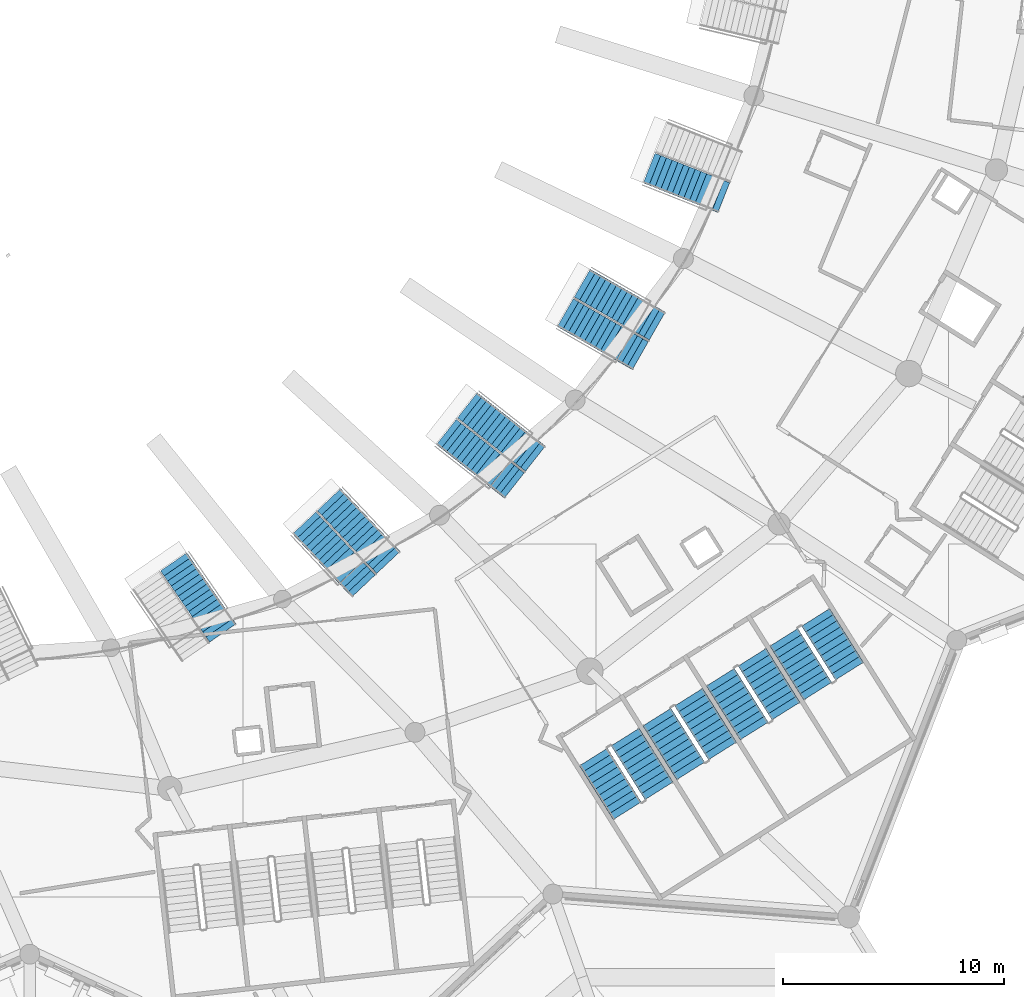
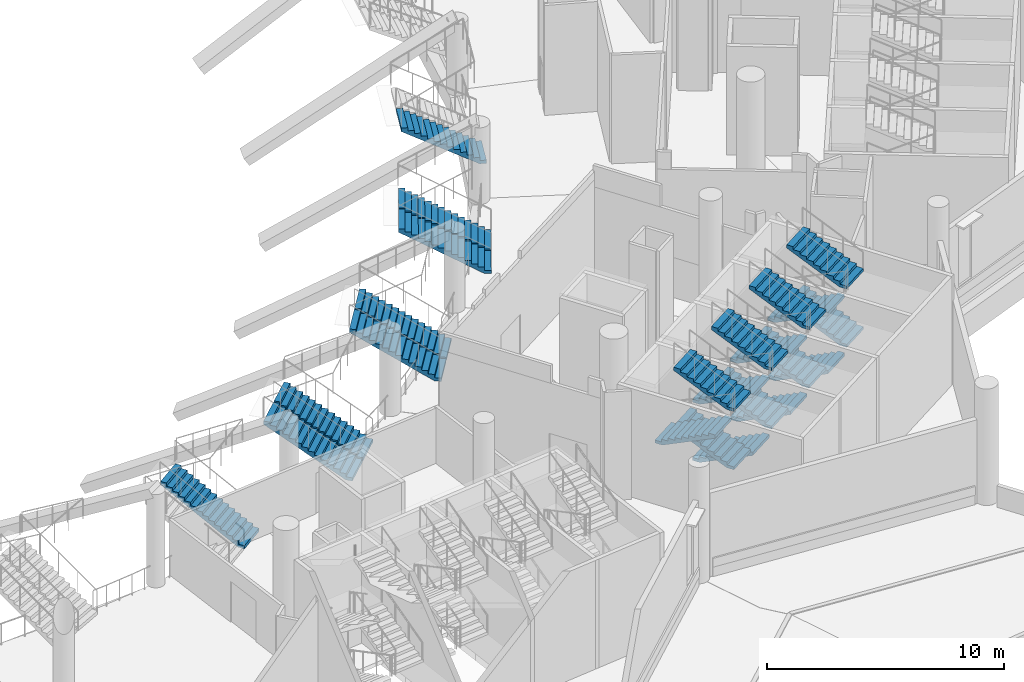
# One storey, part 88 of 173: 23 stair flights, 9 elements without a shape of their own.
"""IFC4 building model written with IfcOpenShell, lengths in metres."""

from ifc_helpers import new_model, si_unit, direction, frame, origin, place, context, subcontext, project, spatial, polyline, outline, extrude, material, type_object, element, aggregate, save


model = new_model("IFC4")

# Units and contexts
model_context = context("Model", 3, precision=1e-05, world=origin(), true_north=direction((0.0, 1.0)))
body_context = subcontext(model_context, "Body", "Model", "MODEL_VIEW")
ifc_project = project(units=[si_unit("LENGTHUNIT", "METRE"), si_unit("AREAUNIT", "SQUARE_METRE"), si_unit("VOLUMEUNIT", "CUBIC_METRE"), si_unit("PLANEANGLEUNIT", "RADIAN"), si_unit("MASSUNIT", "GRAM", prefix="KILO")], contexts=[model_context])

# Site, building, storey
site_placement = place(None, origin())
site = spatial("IfcSite", under=ifc_project, at=site_placement, CompositionType="ELEMENT")
building_placement = place(site_placement, origin())
building = spatial("IfcBuilding", under=site, at=building_placement, Name="Meseta Stadium", CompositionType="ELEMENT")
storey_placement = place(building_placement, frame((0.0, 0.0, 18.0)))
storey = spatial("IfcBuildingStorey", under=building, at=storey_placement, Name="L03", CompositionType="ELEMENT", Elevation=18.0)

# Stair, stair flights
ifc_material_1 = material(Name="Concrete C40/50", Category="concrete")
stair_type_1 = type_object("IfcStairType", Name="Exit stair 4 flights 150 mm risers", PredefinedType="HALF_TURN_STAIR", material=ifc_material_1)
stair_1_placement = place(storey_placement, origin())
stair_1 = element("IfcStair", 1, at=stair_1_placement, inside=storey, type_object=stair_type_1, Name="ST105 L03", PredefinedType="HALF_TURN_STAIR")
ifc_material_2 = material(Name="Concrete C40/50", Category="concrete")
stair_flight_type_1 = type_object("IfcStairFlightType", Name="Exit stair flight 150 mm risers, 4 per storey", PredefinedType="STRAIGHT", material=ifc_material_2)
stair_flight_1_placement = place(storey_placement, frame((66.8642578125, -91.193603515625, 1.5), z_axis=(0.0, 0.0, 1.0), x_axis=(-0.532032074404, 0.846724200555, 0.0)))
stair_flight_1 = element("IfcStairFlight", 2, at=stair_flight_1_placement, type_object=stair_flight_type_1, Name="ST105 L03 flight 2", NumberOfRisers=10, NumberOfTreads=9, PredefinedType="STRAIGHT", RiserHeight=0.15, TreadLength=0.32, context=body_context, shape_type="SweptSolid", body=[
    extrude(outline(polyline([(0.0, 0.0), (0.0, 0.14990234375), (0.320068359375, 0.14990234375), (0.320068359375, 0.300048828125), (0.639892578125, 0.300048828125), (0.639892578125, 0.449951171875), (0.9599609375, 0.449951171875), (0.9599609375, 0.60009765625), (1.280029296875, 0.60009765625), (1.280029296875, 0.75), (1.60009765625, 0.75), (1.60009765625, 0.89990234375), (1.919921875, 0.89990234375), (1.919921875, 1.050048828125), (2.239990234375, 1.050048828125), (2.239990234375, 1.199951171875), (2.56005859375, 1.199951171875), (2.56005859375, 1.35009765625), (2.8798828125, 1.35009765625), (2.8798828125, 1.184326171875), (0.353271484375, 0.0), (0.0, 0.0)])), frame((0.0, 0.75, 0.0), z_axis=(0.0, -1.0, 0.0), x_axis=(1.0, 0.0, 0.0)), (0.0, 0.0, 1.0), 1.5),
])
stair_flight_2_placement = place(storey_placement, frame((63.892578125, -89.659423828125, 3.0), z_axis=(0.0, 0.0, 1.0), x_axis=(0.532032074404, -0.846724200555, 0.0)))
stair_flight_2 = element("IfcStairFlight", 3, at=stair_flight_2_placement, type_object=stair_flight_type_1, Name="ST105 L03 flight 3", NumberOfRisers=10, NumberOfTreads=9, PredefinedType="STRAIGHT", RiserHeight=0.15, TreadLength=0.32, context=body_context, shape_type="SweptSolid", body=[
    extrude(outline(polyline([(0.0, 0.0), (0.0, 0.14990234375), (0.320068359375, 0.14990234375), (0.320068359375, 0.300048828125), (0.639892578125, 0.300048828125), (0.639892578125, 0.449951171875), (0.9599609375, 0.449951171875), (0.9599609375, 0.60009765625), (1.280029296875, 0.60009765625), (1.280029296875, 0.75), (1.60009765625, 0.75), (1.60009765625, 0.89990234375), (1.919921875, 0.89990234375), (1.919921875, 1.050048828125), (2.239990234375, 1.050048828125), (2.239990234375, 1.199951171875), (2.56005859375, 1.199951171875), (2.56005859375, 1.35009765625), (2.8798828125, 1.35009765625), (2.8798828125, 1.184326171875), (0.353271484375, 0.0), (0.0, 0.0)])), frame((0.0, 0.75, 0.0), z_axis=(0.0, -1.0, 0.0), x_axis=(1.0, 0.0, 0.0)), (0.0, 0.0, 1.0), 1.5),
])
stair_flight_3_placement = place(storey_placement, frame((66.8642578125, -91.193603515625, 4.5), z_axis=(0.0, 0.0, 1.0), x_axis=(-0.532032074404, 0.846724200555, 0.0)))
stair_flight_3 = element("IfcStairFlight", 4, at=stair_flight_3_placement, type_object=stair_flight_type_1, Name="ST105 L03 flight 4", NumberOfRisers=10, NumberOfTreads=9, PredefinedType="STRAIGHT", RiserHeight=0.15, TreadLength=0.32, context=body_context, shape_type="SweptSolid", body=[
    extrude(outline(polyline([(0.0, 0.0), (0.0, 0.14990234375), (0.320068359375, 0.14990234375), (0.320068359375, 0.300048828125), (0.639892578125, 0.300048828125), (0.639892578125, 0.449951171875), (0.9599609375, 0.449951171875), (0.9599609375, 0.60009765625), (1.280029296875, 0.60009765625), (1.280029296875, 0.75), (1.60009765625, 0.75), (1.60009765625, 0.89990234375), (1.919921875, 0.89990234375), (1.919921875, 1.050048828125), (2.239990234375, 1.050048828125), (2.239990234375, 1.199951171875), (2.56005859375, 1.199951171875), (2.56005859375, 1.35009765625), (2.8798828125, 1.35009765625), (2.8798828125, 1.184326171875), (0.353271484375, 0.0), (0.0, 0.0)])), frame((0.0, 0.75, 0.0), z_axis=(0.0, -1.0, 0.0), x_axis=(1.0, 0.0, 0.0)), (0.0, 0.0, 1.0), 1.5),
])
aggregate(stair_1, [stair_flight_1, stair_flight_2, stair_flight_3])

stair_2_placement = place(storey_placement, origin())
stair_2 = element("IfcStair", 5, at=stair_2_placement, inside=storey, type_object=stair_type_1, Name="ST106 L03", PredefinedType="HALF_TURN_STAIR")
stair_flight_4_placement = place(storey_placement, frame((66.771484375, -87.8505859375, 0.0), z_axis=(0.0, 0.0, 1.0), x_axis=(0.532032074404, -0.846724200555, 0.0)))
stair_flight_4 = element("IfcStairFlight", 6, at=stair_flight_4_placement, type_object=stair_flight_type_1, Name="ST106 L03 flight 1", NumberOfRisers=10, NumberOfTreads=9, PredefinedType="STRAIGHT", RiserHeight=0.15, TreadLength=0.32, context=body_context, shape_type="SweptSolid", body=[
    extrude(outline(polyline([(0.0, 0.0), (0.0, 0.14990234375), (0.320068359375, 0.14990234375), (0.320068359375, 0.300048828125), (0.639892578125, 0.300048828125), (0.639892578125, 0.449951171875), (0.9599609375, 0.449951171875), (0.9599609375, 0.60009765625), (1.280029296875, 0.60009765625), (1.280029296875, 0.75), (1.60009765625, 0.75), (1.60009765625, 0.89990234375), (1.919921875, 0.89990234375), (1.919921875, 1.050048828125), (2.239990234375, 1.050048828125), (2.239990234375, 1.199951171875), (2.56005859375, 1.199951171875), (2.56005859375, 1.35009765625), (2.8798828125, 1.35009765625), (2.8798828125, 1.184326171875), (0.353271484375, 0.0), (0.0, 0.0)])), frame((0.0, 0.75, 0.0), z_axis=(0.0, -1.0, 0.0), x_axis=(1.0, 0.0, 0.0)), (0.0, 0.0, 1.0), 1.5),
])
stair_flight_5_placement = place(storey_placement, frame((69.7431640625, -89.384521484375, 1.5), z_axis=(0.0, 0.0, 1.0), x_axis=(-0.532032074404, 0.846724200555, 0.0)))
stair_flight_5 = element("IfcStairFlight", 7, at=stair_flight_5_placement, type_object=stair_flight_type_1, Name="ST106 L03 flight 2", NumberOfRisers=10, NumberOfTreads=9, PredefinedType="STRAIGHT", RiserHeight=0.15, TreadLength=0.32, context=body_context, shape_type="SweptSolid", body=[
    extrude(outline(polyline([(0.0, 0.0), (0.0, 0.14990234375), (0.320068359375, 0.14990234375), (0.320068359375, 0.300048828125), (0.639892578125, 0.300048828125), (0.639892578125, 0.449951171875), (0.9599609375, 0.449951171875), (0.9599609375, 0.60009765625), (1.280029296875, 0.60009765625), (1.280029296875, 0.75), (1.60009765625, 0.75), (1.60009765625, 0.89990234375), (1.919921875, 0.89990234375), (1.919921875, 1.050048828125), (2.239990234375, 1.050048828125), (2.239990234375, 1.199951171875), (2.56005859375, 1.199951171875), (2.56005859375, 1.35009765625), (2.8798828125, 1.35009765625), (2.8798828125, 1.184326171875), (0.353271484375, 0.0), (0.0, 0.0)])), frame((0.0, 0.75, 0.0), z_axis=(0.0, -1.0, 0.0), x_axis=(1.0, 0.0, 0.0)), (0.0, 0.0, 1.0), 1.5),
])
stair_flight_6_placement = place(storey_placement, frame((66.771484375, -87.8505859375, 3.0), z_axis=(0.0, 0.0, 1.0), x_axis=(0.532032074404, -0.846724200555, 0.0)))
stair_flight_6 = element("IfcStairFlight", 8, at=stair_flight_6_placement, type_object=stair_flight_type_1, Name="ST106 L03 flight 3", NumberOfRisers=10, NumberOfTreads=9, PredefinedType="STRAIGHT", RiserHeight=0.15, TreadLength=0.32, context=body_context, shape_type="SweptSolid", body=[
    extrude(outline(polyline([(0.0, 0.0), (0.0, 0.14990234375), (0.320068359375, 0.14990234375), (0.320068359375, 0.300048828125), (0.639892578125, 0.300048828125), (0.639892578125, 0.449951171875), (0.9599609375, 0.449951171875), (0.9599609375, 0.60009765625), (1.280029296875, 0.60009765625), (1.280029296875, 0.75), (1.60009765625, 0.75), (1.60009765625, 0.89990234375), (1.919921875, 0.89990234375), (1.919921875, 1.050048828125), (2.239990234375, 1.050048828125), (2.239990234375, 1.199951171875), (2.56005859375, 1.199951171875), (2.56005859375, 1.35009765625), (2.8798828125, 1.35009765625), (2.8798828125, 1.184326171875), (0.353271484375, 0.0), (0.0, 0.0)])), frame((0.0, 0.75, 0.0), z_axis=(0.0, -1.0, 0.0), x_axis=(1.0, 0.0, 0.0)), (0.0, 0.0, 1.0), 1.5),
])
stair_flight_7_placement = place(storey_placement, frame((69.7431640625, -89.384521484375, 4.5), z_axis=(0.0, 0.0, 1.0), x_axis=(-0.532032074404, 0.846724200555, 0.0)))
stair_flight_7 = element("IfcStairFlight", 9, at=stair_flight_7_placement, type_object=stair_flight_type_1, Name="ST106 L03 flight 4", NumberOfRisers=10, NumberOfTreads=9, PredefinedType="STRAIGHT", RiserHeight=0.15, TreadLength=0.32, context=body_context, shape_type="SweptSolid", body=[
    extrude(outline(polyline([(0.0, 0.0), (0.0, 0.14990234375), (0.320068359375, 0.14990234375), (0.320068359375, 0.300048828125), (0.639892578125, 0.300048828125), (0.639892578125, 0.449951171875), (0.9599609375, 0.449951171875), (0.9599609375, 0.60009765625), (1.280029296875, 0.60009765625), (1.280029296875, 0.75), (1.60009765625, 0.75), (1.60009765625, 0.89990234375), (1.919921875, 0.89990234375), (1.919921875, 1.050048828125), (2.239990234375, 1.050048828125), (2.239990234375, 1.199951171875), (2.56005859375, 1.199951171875), (2.56005859375, 1.35009765625), (2.8798828125, 1.35009765625), (2.8798828125, 1.184326171875), (0.353271484375, 0.0), (0.0, 0.0)])), frame((0.0, 0.75, 0.0), z_axis=(0.0, -1.0, 0.0), x_axis=(1.0, 0.0, 0.0)), (0.0, 0.0, 1.0), 1.5),
])
aggregate(stair_2, [stair_flight_4, stair_flight_5, stair_flight_6, stair_flight_7])

stair_3_placement = place(storey_placement, origin())
stair_3 = element("IfcStair", 10, at=stair_3_placement, inside=storey, type_object=stair_type_1, Name="ST107 L03", PredefinedType="HALF_TURN_STAIR")
stair_flight_8_placement = place(storey_placement, frame((69.650390625, -86.04150390625, 0.0), z_axis=(0.0, 0.0, 1.0), x_axis=(0.532032074404, -0.846724200555, 0.0)))
stair_flight_8 = element("IfcStairFlight", 11, at=stair_flight_8_placement, type_object=stair_flight_type_1, Name="ST107 L03 flight 1", NumberOfRisers=10, NumberOfTreads=9, PredefinedType="STRAIGHT", RiserHeight=0.15, TreadLength=0.32, context=body_context, shape_type="SweptSolid", body=[
    extrude(outline(polyline([(0.0, 0.0), (0.0, 0.14990234375), (0.320068359375, 0.14990234375), (0.320068359375, 0.300048828125), (0.639892578125, 0.300048828125), (0.639892578125, 0.449951171875), (0.9599609375, 0.449951171875), (0.9599609375, 0.60009765625), (1.280029296875, 0.60009765625), (1.280029296875, 0.75), (1.60009765625, 0.75), (1.60009765625, 0.89990234375), (1.919921875, 0.89990234375), (1.919921875, 1.050048828125), (2.239990234375, 1.050048828125), (2.239990234375, 1.199951171875), (2.56005859375, 1.199951171875), (2.56005859375, 1.35009765625), (2.8798828125, 1.35009765625), (2.8798828125, 1.184326171875), (0.353271484375, 0.0), (0.0, 0.0)])), frame((0.0, 0.75, 0.0), z_axis=(0.0, -1.0, 0.0), x_axis=(1.0, 0.0, 0.0)), (0.0, 0.0, 1.0), 1.5),
])
stair_flight_9_placement = place(storey_placement, frame((72.6220703125, -87.57568359375, 1.5), z_axis=(0.0, 0.0, 1.0), x_axis=(-0.532032074404, 0.846724200555, 0.0)))
stair_flight_9 = element("IfcStairFlight", 12, at=stair_flight_9_placement, type_object=stair_flight_type_1, Name="ST107 L03 flight 2", NumberOfRisers=10, NumberOfTreads=9, PredefinedType="STRAIGHT", RiserHeight=0.15, TreadLength=0.32, context=body_context, shape_type="SweptSolid", body=[
    extrude(outline(polyline([(0.0, 0.0), (0.0, 0.14990234375), (0.320068359375, 0.14990234375), (0.320068359375, 0.300048828125), (0.639892578125, 0.300048828125), (0.639892578125, 0.449951171875), (0.9599609375, 0.449951171875), (0.9599609375, 0.60009765625), (1.280029296875, 0.60009765625), (1.280029296875, 0.75), (1.60009765625, 0.75), (1.60009765625, 0.89990234375), (1.919921875, 0.89990234375), (1.919921875, 1.050048828125), (2.239990234375, 1.050048828125), (2.239990234375, 1.199951171875), (2.56005859375, 1.199951171875), (2.56005859375, 1.35009765625), (2.8798828125, 1.35009765625), (2.8798828125, 1.184326171875), (0.353271484375, 0.0), (0.0, 0.0)])), frame((0.0, 0.75, 0.0), z_axis=(0.0, -1.0, 0.0), x_axis=(1.0, 0.0, 0.0)), (0.0, 0.0, 1.0), 1.5),
])
stair_flight_10_placement = place(storey_placement, frame((69.650390625, -86.04150390625, 3.0), z_axis=(0.0, 0.0, 1.0), x_axis=(0.532032074404, -0.846724200555, 0.0)))
stair_flight_10 = element("IfcStairFlight", 13, at=stair_flight_10_placement, type_object=stair_flight_type_1, Name="ST107 L03 flight 3", NumberOfRisers=10, NumberOfTreads=9, PredefinedType="STRAIGHT", RiserHeight=0.15, TreadLength=0.32, context=body_context, shape_type="SweptSolid", body=[
    extrude(outline(polyline([(0.0, 0.0), (0.0, 0.14990234375), (0.320068359375, 0.14990234375), (0.320068359375, 0.300048828125), (0.639892578125, 0.300048828125), (0.639892578125, 0.449951171875), (0.9599609375, 0.449951171875), (0.9599609375, 0.60009765625), (1.280029296875, 0.60009765625), (1.280029296875, 0.75), (1.60009765625, 0.75), (1.60009765625, 0.89990234375), (1.919921875, 0.89990234375), (1.919921875, 1.050048828125), (2.239990234375, 1.050048828125), (2.239990234375, 1.199951171875), (2.56005859375, 1.199951171875), (2.56005859375, 1.35009765625), (2.8798828125, 1.35009765625), (2.8798828125, 1.184326171875), (0.353271484375, 0.0), (0.0, 0.0)])), frame((0.0, 0.75, 0.0), z_axis=(0.0, -1.0, 0.0), x_axis=(1.0, 0.0, 0.0)), (0.0, 0.0, 1.0), 1.5),
])
stair_flight_11_placement = place(storey_placement, frame((72.6220703125, -87.57568359375, 4.5), z_axis=(0.0, 0.0, 1.0), x_axis=(-0.532032074404, 0.846724200555, 0.0)))
stair_flight_11 = element("IfcStairFlight", 14, at=stair_flight_11_placement, type_object=stair_flight_type_1, Name="ST107 L03 flight 4", NumberOfRisers=10, NumberOfTreads=9, PredefinedType="STRAIGHT", RiserHeight=0.15, TreadLength=0.32, context=body_context, shape_type="SweptSolid", body=[
    extrude(outline(polyline([(0.0, 0.0), (0.0, 0.14990234375), (0.320068359375, 0.14990234375), (0.320068359375, 0.300048828125), (0.639892578125, 0.300048828125), (0.639892578125, 0.449951171875), (0.9599609375, 0.449951171875), (0.9599609375, 0.60009765625), (1.280029296875, 0.60009765625), (1.280029296875, 0.75), (1.60009765625, 0.75), (1.60009765625, 0.89990234375), (1.919921875, 0.89990234375), (1.919921875, 1.050048828125), (2.239990234375, 1.050048828125), (2.239990234375, 1.199951171875), (2.56005859375, 1.199951171875), (2.56005859375, 1.35009765625), (2.8798828125, 1.35009765625), (2.8798828125, 1.184326171875), (0.353271484375, 0.0), (0.0, 0.0)])), frame((0.0, 0.75, 0.0), z_axis=(0.0, -1.0, 0.0), x_axis=(1.0, 0.0, 0.0)), (0.0, 0.0, 1.0), 1.5),
])
aggregate(stair_3, [stair_flight_8, stair_flight_9, stair_flight_10, stair_flight_11])

stair_4_placement = place(storey_placement, origin())
stair_4 = element("IfcStair", 15, at=stair_4_placement, inside=storey, type_object=stair_type_1, Name="ST108 L03", PredefinedType="HALF_TURN_STAIR")
stair_flight_12_placement = place(storey_placement, frame((72.529052734375, -84.232666015625, 0.0), z_axis=(0.0, 0.0, 1.0), x_axis=(0.532032074404, -0.846724200555, 0.0)))
stair_flight_12 = element("IfcStairFlight", 16, at=stair_flight_12_placement, type_object=stair_flight_type_1, Name="ST108 L03 flight 1", NumberOfRisers=10, NumberOfTreads=9, PredefinedType="STRAIGHT", RiserHeight=0.15, TreadLength=0.32, context=body_context, shape_type="SweptSolid", body=[
    extrude(outline(polyline([(0.0, 0.0), (0.0, 0.14990234375), (0.320068359375, 0.14990234375), (0.320068359375, 0.300048828125), (0.639892578125, 0.300048828125), (0.639892578125, 0.449951171875), (0.9599609375, 0.449951171875), (0.9599609375, 0.60009765625), (1.280029296875, 0.60009765625), (1.280029296875, 0.75), (1.60009765625, 0.75), (1.60009765625, 0.89990234375), (1.919921875, 0.89990234375), (1.919921875, 1.050048828125), (2.239990234375, 1.050048828125), (2.239990234375, 1.199951171875), (2.56005859375, 1.199951171875), (2.56005859375, 1.35009765625), (2.8798828125, 1.35009765625), (2.8798828125, 1.184326171875), (0.353271484375, 0.0), (0.0, 0.0)])), frame((0.0, 0.75, 0.0), z_axis=(0.0, -1.0, 0.0), x_axis=(1.0, 0.0, 0.0)), (0.0, 0.0, 1.0), 1.5),
])
stair_flight_13_placement = place(storey_placement, frame((75.500732421875, -85.766845703125, 1.5), z_axis=(0.0, 0.0, 1.0), x_axis=(-0.532032074404, 0.846724200555, 0.0)))
stair_flight_13 = element("IfcStairFlight", 17, at=stair_flight_13_placement, type_object=stair_flight_type_1, Name="ST108 L03 flight 2", NumberOfRisers=10, NumberOfTreads=9, PredefinedType="STRAIGHT", RiserHeight=0.15, TreadLength=0.32, context=body_context, shape_type="SweptSolid", body=[
    extrude(outline(polyline([(0.0, 0.0), (0.0, 0.14990234375), (0.320068359375, 0.14990234375), (0.320068359375, 0.300048828125), (0.639892578125, 0.300048828125), (0.639892578125, 0.449951171875), (0.9599609375, 0.449951171875), (0.9599609375, 0.60009765625), (1.280029296875, 0.60009765625), (1.280029296875, 0.75), (1.60009765625, 0.75), (1.60009765625, 0.89990234375), (1.919921875, 0.89990234375), (1.919921875, 1.050048828125), (2.239990234375, 1.050048828125), (2.239990234375, 1.199951171875), (2.56005859375, 1.199951171875), (2.56005859375, 1.35009765625), (2.8798828125, 1.35009765625), (2.8798828125, 1.184326171875), (0.353271484375, 0.0), (0.0, 0.0)])), frame((0.0, 0.75, 0.0), z_axis=(0.0, -1.0, 0.0), x_axis=(1.0, 0.0, 0.0)), (0.0, 0.0, 1.0), 1.5),
])
stair_flight_14_placement = place(storey_placement, frame((72.529052734375, -84.232666015625, 3.0), z_axis=(0.0, 0.0, 1.0), x_axis=(0.532032074404, -0.846724200555, 0.0)))
stair_flight_14 = element("IfcStairFlight", 18, at=stair_flight_14_placement, type_object=stair_flight_type_1, Name="ST108 L03 flight 3", NumberOfRisers=10, NumberOfTreads=9, PredefinedType="STRAIGHT", RiserHeight=0.15, TreadLength=0.32, context=body_context, shape_type="SweptSolid", body=[
    extrude(outline(polyline([(0.0, 0.0), (0.0, 0.14990234375), (0.320068359375, 0.14990234375), (0.320068359375, 0.300048828125), (0.639892578125, 0.300048828125), (0.639892578125, 0.449951171875), (0.9599609375, 0.449951171875), (0.9599609375, 0.60009765625), (1.280029296875, 0.60009765625), (1.280029296875, 0.75), (1.60009765625, 0.75), (1.60009765625, 0.89990234375), (1.919921875, 0.89990234375), (1.919921875, 1.050048828125), (2.239990234375, 1.050048828125), (2.239990234375, 1.199951171875), (2.56005859375, 1.199951171875), (2.56005859375, 1.35009765625), (2.8798828125, 1.35009765625), (2.8798828125, 1.184326171875), (0.353271484375, 0.0), (0.0, 0.0)])), frame((0.0, 0.75, 0.0), z_axis=(0.0, -1.0, 0.0), x_axis=(1.0, 0.0, 0.0)), (0.0, 0.0, 1.0), 1.5),
])
stair_flight_15_placement = place(storey_placement, frame((75.500732421875, -85.766845703125, 4.5), z_axis=(0.0, 0.0, 1.0), x_axis=(-0.532032074404, 0.846724200555, 0.0)))
stair_flight_15 = element("IfcStairFlight", 19, at=stair_flight_15_placement, type_object=stair_flight_type_1, Name="ST108 L03 flight 4", NumberOfRisers=10, NumberOfTreads=9, PredefinedType="STRAIGHT", RiserHeight=0.15, TreadLength=0.32, context=body_context, shape_type="SweptSolid", body=[
    extrude(outline(polyline([(0.0, 0.0), (0.0, 0.14990234375), (0.320068359375, 0.14990234375), (0.320068359375, 0.300048828125), (0.639892578125, 0.300048828125), (0.639892578125, 0.449951171875), (0.9599609375, 0.449951171875), (0.9599609375, 0.60009765625), (1.280029296875, 0.60009765625), (1.280029296875, 0.75), (1.60009765625, 0.75), (1.60009765625, 0.89990234375), (1.919921875, 0.89990234375), (1.919921875, 1.050048828125), (2.239990234375, 1.050048828125), (2.239990234375, 1.199951171875), (2.56005859375, 1.199951171875), (2.56005859375, 1.35009765625), (2.8798828125, 1.35009765625), (2.8798828125, 1.184326171875), (0.353271484375, 0.0), (0.0, 0.0)])), frame((0.0, 0.75, 0.0), z_axis=(0.0, -1.0, 0.0), x_axis=(1.0, 0.0, 0.0)), (0.0, 0.0, 1.0), 1.5),
])
aggregate(stair_4, [stair_flight_12, stair_flight_13, stair_flight_14, stair_flight_15])

# Stair, stair flight
ifc_material_3 = material(Name="Concrete C40/50", Category="concrete")
stair_type_2 = type_object("IfcStairType", Name="Vomitory stair 3000", PredefinedType="STRAIGHT_RUN_STAIR", material=ifc_material_3)
stair_5_placement = place(storey_placement, origin())
stair_5 = element("IfcStair", 20, at=stair_5_placement, inside=storey, type_object=stair_type_2, Name="Vomitory V-upper-51", PredefinedType="STRAIGHT_RUN_STAIR")
ifc_material_4 = material(Name="Concrete C40/50", Category="concrete")
stair_flight_type_2 = type_object("IfcStairFlightType", Name="Vomitory stair flight 1450", PredefinedType="STRAIGHT", material=ifc_material_4)
stair_flight_16_placement = place(storey_placement, frame((47.088134765625, -84.03515625, 0.0), z_axis=(0.0, 0.0, 1.0), x_axis=(-0.567899772853, 0.82309771473, 0.0)))
stair_flight_16 = element("IfcStairFlight", 21, at=stair_flight_16_placement, type_object=stair_flight_type_2, Name="Vomitory V-upper-51 flight 2", NumberOfRisers=15, NumberOfTreads=14, PredefinedType="STRAIGHT", RiserHeight=0.164766, TreadLength=0.28, context=body_context, shape_type="SweptSolid", body=[
    extrude(outline(polyline([(0.0, 0.0), (0.0, 0.164794921875), (0.280029296875, 0.164794921875), (0.280029296875, 0.32958984375), (0.56005859375, 0.32958984375), (0.56005859375, 0.494384765625), (0.840087890625, 0.494384765625), (0.840087890625, 0.6591796875), (1.1201171875, 0.6591796875), (1.1201171875, 0.82373046875), (1.39990234375, 0.82373046875), (1.39990234375, 0.988525390625), (1.679931640625, 0.988525390625), (1.679931640625, 1.1533203125), (1.9599609375, 1.1533203125), (1.9599609375, 1.318115234375), (2.239990234375, 1.318115234375), (2.239990234375, 1.48291015625), (2.52001953125, 1.48291015625), (2.52001953125, 1.647705078125), (2.800048828125, 1.647705078125), (2.800048828125, 1.8125), (3.080078125, 1.8125), (3.080078125, 1.977294921875), (3.360107421875, 1.977294921875), (3.360107421875, 2.141845703125), (3.639892578125, 2.141845703125), (3.639892578125, 2.306640625), (3.919921875, 2.306640625), (3.919921875, 2.1328125), (0.295654296875, 0.0), (0.0, 0.0)])), frame((0.0, 0.72509765625, 0.0), z_axis=(0.0, -1.0, 0.0), x_axis=(1.0, 0.0, 0.0)), (0.0, 0.0, 1.0), 1.449951171875),
])
aggregate(stair_5, [stair_flight_16])

# Stair, stair flights
stair_6_placement = place(storey_placement, origin())
stair_6 = element("IfcStair", 22, at=stair_6_placement, inside=storey, type_object=stair_type_2, Name="Vomitory V-upper-52", PredefinedType="STRAIGHT_RUN_STAIR")
stair_flight_17_placement = place(storey_placement, frame((53.46826171875, -81.90185546875, 0.0), z_axis=(0.0, 0.0, 1.0), x_axis=(-0.686064733008, 0.72754050205, 0.0)))
stair_flight_17 = element("IfcStairFlight", 23, at=stair_flight_17_placement, type_object=stair_flight_type_2, Name="Vomitory V-upper-52 flight 1", NumberOfRisers=15, NumberOfTreads=14, PredefinedType="STRAIGHT", RiserHeight=0.164873, TreadLength=0.28, context=body_context, shape_type="SweptSolid", body=[
    extrude(outline(polyline([(0.0, 0.0), (0.0, 0.164794921875), (0.280029296875, 0.164794921875), (0.280029296875, 0.329833984375), (0.56005859375, 0.329833984375), (0.56005859375, 0.49462890625), (0.840087890625, 0.49462890625), (0.840087890625, 0.659423828125), (1.1201171875, 0.659423828125), (1.1201171875, 0.824462890625), (1.39990234375, 0.824462890625), (1.39990234375, 0.9892578125), (1.679931640625, 0.9892578125), (1.679931640625, 1.154052734375), (1.9599609375, 1.154052734375), (1.9599609375, 1.319091796875), (2.239990234375, 1.319091796875), (2.239990234375, 1.48388671875), (2.52001953125, 1.48388671875), (2.52001953125, 1.648681640625), (2.800048828125, 1.648681640625), (2.800048828125, 1.813720703125), (3.080078125, 1.813720703125), (3.080078125, 1.978515625), (3.360107421875, 1.978515625), (3.360107421875, 2.143310546875), (3.639892578125, 2.143310546875), (3.639892578125, 2.30810546875), (3.919921875, 2.30810546875), (3.919921875, 2.13427734375), (0.29541015625, 0.0), (0.0, 0.0)])), frame((0.0, 0.72509765625, 0.0), z_axis=(0.0, -1.0, 0.0), x_axis=(1.0, 0.0, 0.0)), (0.0, 0.0, 1.0), 1.449951171875),
])
stair_flight_18_placement = place(storey_placement, frame((54.595947265625, -80.83837890625, 0.0), z_axis=(0.0, 0.0, 1.0), x_axis=(-0.686064733008, 0.72754050205, 0.0)))
stair_flight_18 = element("IfcStairFlight", 24, at=stair_flight_18_placement, type_object=stair_flight_type_2, Name="Vomitory V-upper-52 flight 2", NumberOfRisers=15, NumberOfTreads=14, PredefinedType="STRAIGHT", RiserHeight=0.164873, TreadLength=0.28, context=body_context, shape_type="SweptSolid", body=[
    extrude(outline(polyline([(0.0, 0.0), (0.0, 0.164794921875), (0.280029296875, 0.164794921875), (0.280029296875, 0.329833984375), (0.56005859375, 0.329833984375), (0.56005859375, 0.49462890625), (0.840087890625, 0.49462890625), (0.840087890625, 0.659423828125), (1.1201171875, 0.659423828125), (1.1201171875, 0.824462890625), (1.39990234375, 0.824462890625), (1.39990234375, 0.9892578125), (1.679931640625, 0.9892578125), (1.679931640625, 1.154052734375), (1.9599609375, 1.154052734375), (1.9599609375, 1.319091796875), (2.239990234375, 1.319091796875), (2.239990234375, 1.48388671875), (2.52001953125, 1.48388671875), (2.52001953125, 1.648681640625), (2.800048828125, 1.648681640625), (2.800048828125, 1.813720703125), (3.080078125, 1.813720703125), (3.080078125, 1.978515625), (3.360107421875, 1.978515625), (3.360107421875, 2.143310546875), (3.639892578125, 2.143310546875), (3.639892578125, 2.30810546875), (3.919921875, 2.30810546875), (3.919921875, 2.13427734375), (0.29541015625, 0.0), (0.0, 0.0)])), frame((0.0, 0.72509765625, 0.0), z_axis=(0.0, -1.0, 0.0), x_axis=(1.0, 0.0, 0.0)), (0.0, 0.0, 1.0), 1.449951171875),
])
aggregate(stair_6, [stair_flight_17, stair_flight_18])

stair_7_placement = place(storey_placement, origin())
stair_7 = element("IfcStair", 25, at=stair_7_placement, inside=storey, type_object=stair_type_2, Name="Vomitory V-upper-53", PredefinedType="STRAIGHT_RUN_STAIR")
stair_flight_19_placement = place(storey_placement, frame((60.303955078125, -77.348388671875, 0.0), z_axis=(0.0, 0.0, 1.0), x_axis=(-0.786141751877, 0.618046232862, 0.0)))
stair_flight_19 = element("IfcStairFlight", 26, at=stair_flight_19_placement, type_object=stair_flight_type_2, Name="Vomitory V-upper-53 flight 1", NumberOfRisers=15, NumberOfTreads=14, PredefinedType="STRAIGHT", RiserHeight=0.164945, TreadLength=0.28, context=body_context, shape_type="SweptSolid", body=[
    extrude(outline(polyline([(0.0, 0.0), (0.0, 0.1650390625), (0.280029296875, 0.1650390625), (0.280029296875, 0.329833984375), (0.56005859375, 0.329833984375), (0.56005859375, 0.494873046875), (0.840087890625, 0.494873046875), (0.840087890625, 0.65966796875), (1.1201171875, 0.65966796875), (1.1201171875, 0.82470703125), (1.39990234375, 0.82470703125), (1.39990234375, 0.98974609375), (1.679931640625, 0.98974609375), (1.679931640625, 1.154541015625), (1.9599609375, 1.154541015625), (1.9599609375, 1.319580078125), (2.239990234375, 1.319580078125), (2.239990234375, 1.484619140625), (2.52001953125, 1.484619140625), (2.52001953125, 1.6494140625), (2.800048828125, 1.6494140625), (2.800048828125, 1.814453125), (3.080078125, 1.814453125), (3.080078125, 1.979248046875), (3.360107421875, 1.979248046875), (3.360107421875, 2.144287109375), (3.639892578125, 2.144287109375), (3.639892578125, 2.309326171875), (3.919921875, 2.309326171875), (3.919921875, 2.13525390625), (0.29541015625, 0.0), (0.0, 0.0)])), frame((0.0, 0.72509765625, 0.0), z_axis=(0.0, -1.0, 0.0), x_axis=(1.0, 0.0, 0.0)), (0.0, 0.0, 1.0), 1.449951171875),
])
stair_flight_20_placement = place(storey_placement, frame((61.261962890625, -76.1298828125, 0.0), z_axis=(0.0, 0.0, 1.0), x_axis=(-0.786141751877, 0.618046232862, 0.0)))
stair_flight_20 = element("IfcStairFlight", 27, at=stair_flight_20_placement, type_object=stair_flight_type_2, Name="Vomitory V-upper-53 flight 2", NumberOfRisers=15, NumberOfTreads=14, PredefinedType="STRAIGHT", RiserHeight=0.164945, TreadLength=0.28, context=body_context, shape_type="SweptSolid", body=[
    extrude(outline(polyline([(0.0, 0.0), (0.0, 0.1650390625), (0.280029296875, 0.1650390625), (0.280029296875, 0.329833984375), (0.56005859375, 0.329833984375), (0.56005859375, 0.494873046875), (0.840087890625, 0.494873046875), (0.840087890625, 0.65966796875), (1.1201171875, 0.65966796875), (1.1201171875, 0.82470703125), (1.39990234375, 0.82470703125), (1.39990234375, 0.98974609375), (1.679931640625, 0.98974609375), (1.679931640625, 1.154541015625), (1.9599609375, 1.154541015625), (1.9599609375, 1.319580078125), (2.239990234375, 1.319580078125), (2.239990234375, 1.484619140625), (2.52001953125, 1.484619140625), (2.52001953125, 1.6494140625), (2.800048828125, 1.6494140625), (2.800048828125, 1.814453125), (3.080078125, 1.814453125), (3.080078125, 1.979248046875), (3.360107421875, 1.979248046875), (3.360107421875, 2.144287109375), (3.639892578125, 2.144287109375), (3.639892578125, 2.309326171875), (3.919921875, 2.309326171875), (3.919921875, 2.13525390625), (0.29541015625, 0.0), (0.0, 0.0)])), frame((0.0, 0.72509765625, 0.0), z_axis=(0.0, -1.0, 0.0), x_axis=(1.0, 0.0, 0.0)), (0.0, 0.0, 1.0), 1.449951171875),
])
aggregate(stair_7, [stair_flight_19, stair_flight_20])

stair_8_placement = place(storey_placement, origin())
stair_8 = element("IfcStair", 28, at=stair_8_placement, inside=storey, type_object=stair_type_2, Name="Vomitory V-upper-54", PredefinedType="STRAIGHT_RUN_STAIR")
stair_flight_21_placement = place(storey_placement, frame((66.017822265625, -71.462646484375, 0.0), z_axis=(0.0, 0.0, 1.0), x_axis=(-0.867711670531, 0.497067859376, 0.0)))
stair_flight_21 = element("IfcStairFlight", 29, at=stair_flight_21_placement, type_object=stair_flight_type_2, Name="Vomitory V-upper-54 flight 1", NumberOfRisers=15, NumberOfTreads=14, PredefinedType="STRAIGHT", RiserHeight=0.164991, TreadLength=0.28, context=body_context, shape_type="SweptSolid", body=[
    extrude(outline(polyline([(0.0, 0.0), (0.0, 0.1650390625), (0.280029296875, 0.1650390625), (0.280029296875, 0.330078125), (0.56005859375, 0.330078125), (0.56005859375, 0.494873046875), (0.840087890625, 0.494873046875), (0.840087890625, 0.659912109375), (1.1201171875, 0.659912109375), (1.1201171875, 0.824951171875), (1.39990234375, 0.824951171875), (1.39990234375, 0.989990234375), (1.679931640625, 0.989990234375), (1.679931640625, 1.155029296875), (1.9599609375, 1.155029296875), (1.9599609375, 1.31982421875), (2.239990234375, 1.31982421875), (2.239990234375, 1.48486328125), (2.52001953125, 1.48486328125), (2.52001953125, 1.64990234375), (2.800048828125, 1.64990234375), (2.800048828125, 1.81494140625), (3.080078125, 1.81494140625), (3.080078125, 1.97998046875), (3.360107421875, 1.97998046875), (3.360107421875, 2.144775390625), (3.639892578125, 2.144775390625), (3.639892578125, 2.309814453125), (3.919921875, 2.309814453125), (3.919921875, 2.135986328125), (0.295166015625, 0.0), (0.0, 0.0)])), frame((0.0, 0.72509765625, 0.0), z_axis=(0.0, -1.0, 0.0), x_axis=(1.0, 0.0, 0.0)), (0.0, 0.0, 1.0), 1.449951171875),
])
stair_flight_22_placement = place(storey_placement, frame((66.788330078125, -70.11767578125, 0.0), z_axis=(0.0, 0.0, 1.0), x_axis=(-0.867711670531, 0.497067859376, 0.0)))
stair_flight_22 = element("IfcStairFlight", 30, at=stair_flight_22_placement, type_object=stair_flight_type_2, Name="Vomitory V-upper-54 flight 2", NumberOfRisers=15, NumberOfTreads=14, PredefinedType="STRAIGHT", RiserHeight=0.164991, TreadLength=0.28, context=body_context, shape_type="SweptSolid", body=[
    extrude(outline(polyline([(0.0, 0.0), (0.0, 0.1650390625), (0.280029296875, 0.1650390625), (0.280029296875, 0.330078125), (0.56005859375, 0.330078125), (0.56005859375, 0.494873046875), (0.840087890625, 0.494873046875), (0.840087890625, 0.659912109375), (1.1201171875, 0.659912109375), (1.1201171875, 0.824951171875), (1.39990234375, 0.824951171875), (1.39990234375, 0.989990234375), (1.679931640625, 0.989990234375), (1.679931640625, 1.155029296875), (1.9599609375, 1.155029296875), (1.9599609375, 1.31982421875), (2.239990234375, 1.31982421875), (2.239990234375, 1.48486328125), (2.52001953125, 1.48486328125), (2.52001953125, 1.64990234375), (2.800048828125, 1.64990234375), (2.800048828125, 1.81494140625), (3.080078125, 1.81494140625), (3.080078125, 1.97998046875), (3.360107421875, 1.97998046875), (3.360107421875, 2.144775390625), (3.639892578125, 2.144775390625), (3.639892578125, 2.309814453125), (3.919921875, 2.309814453125), (3.919921875, 2.135986328125), (0.295166015625, 0.0), (0.0, 0.0)])), frame((0.0, 0.72509765625, 0.0), z_axis=(0.0, -1.0, 0.0), x_axis=(1.0, 0.0, 0.0)), (0.0, 0.0, 1.0), 1.449951171875),
])
aggregate(stair_8, [stair_flight_21, stair_flight_22])

# Stair, stair flight
stair_9_placement = place(storey_placement, origin())
stair_9 = element("IfcStair", 31, at=stair_9_placement, inside=storey, type_object=stair_type_2, Name="Vomitory V-upper-55", PredefinedType="STRAIGHT_RUN_STAIR")
stair_flight_23_placement = place(storey_placement, frame((69.8056640625, -64.292724609375, 0.0), z_axis=(0.0, 0.0, 1.0), x_axis=(-0.930263326339, 0.366892550576, 0.0)))
stair_flight_23 = element("IfcStairFlight", 32, at=stair_flight_23_placement, type_object=stair_flight_type_2, Name="Vomitory V-upper-55 flight 1", NumberOfRisers=14, NumberOfTreads=13, PredefinedType="STRAIGHT", RiserHeight=0.167897, TreadLength=0.28, context=body_context, shape_type="SweptSolid", body=[
    extrude(outline(polyline([(0.0, 0.0), (0.0, 0.16796875), (0.280029296875, 0.16796875), (0.280029296875, 0.335693359375), (0.56005859375, 0.335693359375), (0.56005859375, 0.503662109375), (0.840087890625, 0.503662109375), (0.840087890625, 0.671630859375), (1.1201171875, 0.671630859375), (1.1201171875, 0.839599609375), (1.39990234375, 0.839599609375), (1.39990234375, 1.00732421875), (1.679931640625, 1.00732421875), (1.679931640625, 1.17529296875), (1.9599609375, 1.17529296875), (1.9599609375, 1.34326171875), (2.239990234375, 1.34326171875), (2.239990234375, 1.510986328125), (2.52001953125, 1.510986328125), (2.52001953125, 1.678955078125), (2.800048828125, 1.678955078125), (2.800048828125, 1.846923828125), (3.080078125, 1.846923828125), (3.080078125, 2.0146484375), (3.360107421875, 2.0146484375), (3.360107421875, 2.1826171875), (3.639892578125, 2.1826171875), (3.639892578125, 2.0078125), (0.29150390625, 0.0), (0.0, 0.0)])), frame((0.0, 0.72509765625, 0.0), z_axis=(0.0, -1.0, 0.0), x_axis=(1.0, 0.0, 0.0)), (0.0, 0.0, 1.0), 1.449951171875),
])
aggregate(stair_9, [stair_flight_23])

save(model, "model.ifc")
